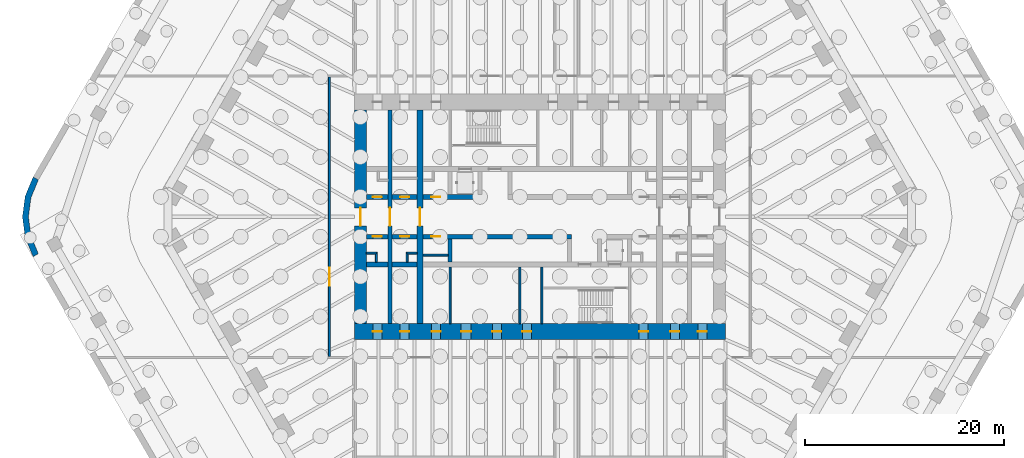
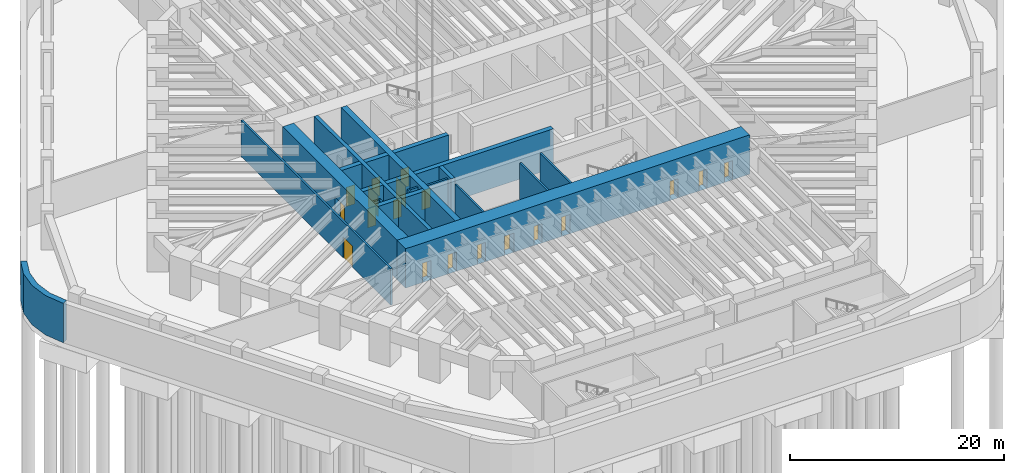
# One storey, part 8 of 17: 23 walls, 19 doors, 19 openings.
"""IFC4 building model written with IfcOpenShell, lengths in metres."""

from ifc_helpers import new_model, si_unit, direction, frame, frame_2d, origin, place, context, subcontext, project, spatial, polyline, rectangle, outline, extrude, material, layer, layer_set, type_object, element, fill, save


model = new_model("IFC4")

# Units and contexts
model_context = context("Model", 3, precision=1e-05, world=origin(), true_north=direction((0.0, 1.0)))
body_context = subcontext(model_context, "Body", "Model", "MODEL_VIEW")
ifc_project = project(units=[si_unit("LENGTHUNIT", "METRE"), si_unit("AREAUNIT", "SQUARE_METRE"), si_unit("VOLUMEUNIT", "CUBIC_METRE"), si_unit("PLANEANGLEUNIT", "RADIAN"), si_unit("MASSUNIT", "GRAM", prefix="KILO")], contexts=[model_context])

# Site, building, storey
site_placement = place(None, origin())
site = spatial("IfcSite", under=ifc_project, at=site_placement, CompositionType="ELEMENT")
building_placement = place(site_placement, origin())
building = spatial("IfcBuilding", under=site, at=building_placement, Name="Tarfa Lantern Tower", CompositionType="ELEMENT")
storey_placement = place(building_placement, frame((0.0, 0.0, -9.0)))
storey = spatial("IfcBuildingStorey", under=building, at=storey_placement, Name="B2", CompositionType="ELEMENT", Elevation=-9.0)

# Walls
ifc_material_1 = material(Name="Concrete blockwork", Category="masonry")
ifc_layer_1 = layer(ifc_material_1, 0.199951171875)
ifc_layer_set_1 = layer_set([ifc_layer_1], Name="IW1 BLOCKWORK PARTITION 200 EI 120")
wall_type_1 = type_object("IfcWallType", Name="IW1 BLOCKWORK PARTITION 200 EI 120", PredefinedType="PARTITIONING", material=ifc_layer_set_1)
for number, where, z_axis, x_axis, name in (
    (1, (-9.0, -5.050048828125, 0.0), (0.0, 0.0, 1.0), (0.0, -1.0, 0.0), "Core partition"),
    (2, (-2.0, -5.050048828125, 0.0), (0.0, 0.0, 1.0), (0.0, -1.0, 0.0), "Core partition"),
):
    element("IfcWall", number, at=place(storey_placement, frame(where, z_axis=z_axis, x_axis=x_axis)), inside=storey, type_object=wall_type_1, Name=name, PredefinedType="PARTITIONING", context=body_context, shape_type="SweptSolid", body=[
        extrude(rectangle(XDim=5.64990234375, YDim=0.199951171875, at=frame_2d((2.824951171875, 0.0))), origin(), (0.0, 0.0, 1.0), 4.14990234375),
    ])
wall_1_placement = place(storey_placement, frame((-9.199951171875, -3.85009765625, 0.0), z_axis=(0.0, 0.0, 1.0), x_axis=(-1.0, 0.0, 0.0)))
element("IfcWall", 3, at=wall_1_placement, inside=storey, type_object=wall_type_1, Name="Core partition", PredefinedType="PARTITIONING", context=body_context, shape_type="SweptSolid", body=[
    extrude(rectangle(XDim=2.5, YDim=0.199951171875, at=frame_2d((1.25, 0.0))), origin(), (0.0, 0.0, 1.0), 4.14990234375),
])
for number, where, z_axis, x_axis, name in (
    (4, (-12.300048828125, -3.64990234375, 0.0), (0.0, 0.0, 1.0), (-1.0, 0.0, 0.0), "Core partition"),
    (5, (-13.300048828125, -3.550048828125, 0.0), (0.0, 0.0, 1.0), (0.0, -1.0, 0.0), "Core partition"),
    (6, (-16.39990234375, -3.64990234375, 0.0), (0.0, 0.0, 1.0), (-1.0, 0.0, 0.0), "Core partition"),
    (7, (-16.39990234375, -3.550048828125, 0.0), (0.0, 0.0, 1.0), (0.0, -1.0, 0.0), "Core partition"),
):
    element("IfcWall", number, at=place(storey_placement, frame(where, z_axis=z_axis, x_axis=x_axis)), inside=storey, type_object=wall_type_1, Name=name, PredefinedType="PARTITIONING", context=body_context, shape_type="SweptSolid", body=[
        extrude(rectangle(XDim=1.0, YDim=0.199951171875, at=frame_2d((0.5, 0.0))), origin(), (0.0, 0.0, 1.0), 4.14990234375),
    ])

# Wall, opening, door
wall_2_placement = place(storey_placement, frame((-21.10009765625, -14.0, 0.0), z_axis=(0.0, 0.0, 1.0), x_axis=(0.0, 1.0, 0.0)))
wall_2 = element("IfcWall", 8, at=wall_2_placement, inside=storey, type_object=wall_type_1, Name="Fire-rated partition", PredefinedType="PARTITIONING", context=body_context, shape_type="SweptSolid", body=[
    extrude(rectangle(XDim=28.0, YDim=0.199951171875, at=frame_2d((14.0, 0.0))), origin(), (0.0, 0.0, 1.0), 4.14990234375),
])
opening_1_placement = place(wall_2_placement, frame((7.10009765625, 0.0, 0.0)))
opening_1 = element("IfcOpeningElement", 9, at=opening_1_placement, cuts=wall_2, Name="Opening D54", PredefinedType="OPENING", context=body_context, shape_type="SweptSolid", body=[
    extrude(rectangle(XDim=1.800048828125, YDim=2.39990234375, at=frame_2d((0.89990234375, 1.199951171875))), frame((0.0, 0.10986328125, 0.0), z_axis=(0.0, -1.0, 0.0), x_axis=(1.0, 0.0, 0.0)), (0.0, 0.0, 1.0), 0.219970703125),
])
ifc_material_2 = material(Name="Steel fire door", Category="steel")
door_type_1 = type_object("IfcDoorType", Name="DF7 FIRE DOOR 1800x2400", OperationType="DOUBLE_DOOR_SINGLE_SWING", PredefinedType="DOOR", material=ifc_material_2)
door_1_placement = place(opening_1_placement, origin())
door_1 = element("IfcDoor", 10, at=door_1_placement, inside=storey, type_object=door_type_1, Name="Plant room door", OperationType="DOUBLE_DOOR_SINGLE_SWING", OverallHeight=2.39990234375, OverallWidth=1.800048828125, PredefinedType="DOOR", context=body_context, shape_type="SweptSolid", body=[
    extrude(rectangle(XDim=1.800048828125, YDim=2.39990234375, at=frame_2d((0.89990234375, 1.199951171875))), frame((0.0, 0.02490234375, 0.0), z_axis=(0.0, -1.0, 0.0), x_axis=(1.0, 0.0, 0.0)), (0.0, 0.0, 1.0), 0.050048828125),
])
fill(opening_1, door_1)

# Wall
ifc_material_3 = material(Name="Concrete C50/60", Category="concrete")
ifc_layer_2 = layer(ifc_material_3, 0.60009765625)
ifc_layer_set_2 = layer_set([ifc_layer_2], Name="RW1 RETAINING WALL 600")
wall_type_2 = type_object("IfcWallType", Name="RW1 RETAINING WALL 600", PredefinedType="SOLIDWALL", material=ifc_layer_set_2)
wall_3_placement = place(storey_placement, origin())
element("IfcWall", 11, at=wall_3_placement, inside=storey, type_object=wall_type_2, Name="Retaining wall corner NW", PredefinedType="SOLIDWALL", context=body_context, shape_type="SweptSolid", body=[
    extrude(outline(polyline([(-50.806884765625, 4.0), (-51.60595703125, 2.070556640625), (-51.878662109375, 0.0), (-51.60595703125, -2.070556640625), (-50.806884765625, -4.0), (-50.287109375, -3.699951171875), (-51.0263671875, -1.915283203125), (-51.278564453125, 0.0), (-51.0263671875, 1.915283203125), (-50.287109375, 3.699951171875), (-50.806884765625, 4.0)])), origin(), (0.0, 0.0, 1.0), 4.5),
])

# Wall, opening, door
ifc_material_4 = material(Name="Concrete C80/95", Category="concrete")
ifc_layer_3 = layer(ifc_material_4, 1.199951171875)
ifc_layer_set_3 = layer_set([ifc_layer_3], Name="SW1 CORE WALL 1200")
wall_type_3 = type_object("IfcWallType", Name="SW1 CORE WALL 1200", PredefinedType="SHEAR", material=ifc_layer_set_3)
wall_4_placement = place(storey_placement, frame((-18.0, 10.699951171875, 0.0), z_axis=(0.0, 0.0, 1.0), x_axis=(0.0, -1.0, 0.0)))
wall_4 = element("IfcWall", 12, at=wall_4_placement, inside=storey, type_object=wall_type_3, Name="Core wall W", PredefinedType="SHEAR", context=body_context, shape_type="SweptSolid", body=[
    extrude(rectangle(XDim=21.39990234375, YDim=1.199951171875, at=frame_2d((10.699951171875, 0.0))), origin(), (0.0, 0.0, 1.0), 4.5),
])
opening_2_placement = place(wall_4_placement, frame((9.800048828125, 0.0, 0.0)))
opening_2 = element("IfcOpeningElement", 13, at=opening_2_placement, cuts=wall_4, Name="Opening D16", PredefinedType="OPENING", context=body_context, shape_type="SweptSolid", body=[
    extrude(rectangle(XDim=1.800048828125, YDim=2.39990234375, at=frame_2d((0.89990234375, 1.199951171875))), frame((0.0, 0.60986328125, 0.0), z_axis=(0.0, -1.0, 0.0), x_axis=(1.0, 0.0, 0.0)), (0.0, 0.0, 1.0), 1.219970703125),
])
door_type_2 = type_object("IfcDoorType", Name="DL1 LOBBY DOOR 1800x2400", OperationType="DOUBLE_DOOR_SINGLE_SWING", PredefinedType="DOOR", material=ifc_material_2)
door_2_placement = place(opening_2_placement, frame((1.800048828125, 0.0, 0.0), z_axis=(0.0, 0.0, 1.0), x_axis=(-1.0, 0.0, 0.0)))
door_2 = element("IfcDoor", 14, at=door_2_placement, inside=storey, type_object=door_type_2, Name="Lift lobby door", OperationType="DOUBLE_DOOR_SINGLE_SWING", OverallHeight=2.39990234375, OverallWidth=1.800048828125, PredefinedType="DOOR", context=body_context, shape_type="SweptSolid", body=[
    extrude(rectangle(XDim=1.800048828125, YDim=2.39990234375, at=frame_2d((0.89990234375, 1.199951171875))), frame((0.0, 0.02490234375, 0.0), z_axis=(0.0, -1.0, 0.0), x_axis=(1.0, 0.0, 0.0)), (0.0, 0.0, 1.0), 0.050048828125),
])
fill(opening_2, door_2)

# Wall
ifc_layer_4 = layer(ifc_material_4, 0.199951171875)
ifc_layer_set_4 = layer_set([ifc_layer_4], Name="SW12 CORE WALL 200")
wall_type_4 = type_object("IfcWallType", Name="SW12 CORE WALL 200", PredefinedType="SHEAR", material=ifc_layer_set_4)
wall_5_placement = place(storey_placement, frame((0.199951171875, -5.050048828125, 0.0), z_axis=(0.0, 0.0, 1.0), x_axis=(0.0, -1.0, 0.0)))
element("IfcWall", 15, at=wall_5_placement, inside=storey, type_object=wall_type_4, Name="Core wall stair shaft S", PredefinedType="SHEAR", context=body_context, shape_type="SweptSolid", body=[
    extrude(rectangle(XDim=5.64990234375, YDim=0.199951171875, at=frame_2d((2.824951171875, 0.0))), origin(), (0.0, 0.0, 1.0), 4.5),
])

# Wall, opening, door
ifc_layer_5 = layer(ifc_material_4, 0.5)
ifc_layer_set_5 = layer_set([ifc_layer_5], Name="SW5 CORE WALL 500")
wall_type_5 = type_object("IfcWallType", Name="SW5 CORE WALL 500", PredefinedType="SHEAR", material=ifc_layer_set_5)
wall_6_placement = place(storey_placement, frame((-17.39990234375, 2.0, 0.0), z_axis=(0.0, 0.0, 1.0), x_axis=(1.0, 0.0, 0.0)))
wall_6 = element("IfcWall", 16, at=wall_6_placement, inside=storey, type_object=wall_type_5, Name="Core wall lobby west N", PredefinedType="SHEAR", context=body_context, shape_type="SweptSolid", body=[
    extrude(rectangle(XDim=2.199951171875, YDim=0.5, at=frame_2d((1.10009765625, 0.0))), origin(), (0.0, 0.0, 1.0), 4.5),
])
opening_3_placement = place(wall_6_placement, frame((0.64990234375, 0.0, 0.0)))
opening_3 = element("IfcOpeningElement", 17, at=opening_3_placement, cuts=wall_6, Name="Opening D23", PredefinedType="OPENING", context=body_context, shape_type="SweptSolid", body=[
    extrude(rectangle(XDim=0.89990234375, YDim=2.199951171875, at=frame_2d((0.449951171875, 1.10009765625))), frame((0.0, 0.260009765625, 0.0), z_axis=(0.0, -1.0, 0.0), x_axis=(1.0, 0.0, 0.0)), (0.0, 0.0, 1.0), 0.52001953125),
])
door_type_3 = type_object("IfcDoorType", Name="DF6 SERVICE ROOM DOOR 900x2200", OperationType="SINGLE_SWING_LEFT", PredefinedType="DOOR", material=ifc_material_2)
door_3_placement = place(opening_3_placement, origin())
door_3 = element("IfcDoor", 18, at=door_3_placement, inside=storey, type_object=door_type_3, Name="Service room door", OperationType="SINGLE_SWING_LEFT", OverallHeight=2.199951171875, OverallWidth=0.89990234375, PredefinedType="DOOR", context=body_context, shape_type="SweptSolid", body=[
    extrude(rectangle(XDim=0.89990234375, YDim=2.199951171875, at=frame_2d((0.449951171875, 1.10009765625))), frame((0.0, 0.02490234375, 0.0), z_axis=(0.0, -1.0, 0.0), x_axis=(1.0, 0.0, 0.0)), (0.0, 0.0, 1.0), 0.050048828125),
])
fill(opening_3, door_3)

wall_7_placement = place(storey_placement, frame((-14.800048828125, 2.0, 0.0), z_axis=(0.0, 0.0, 1.0), x_axis=(1.0, 0.0, 0.0)))
wall_7 = element("IfcWall", 19, at=wall_7_placement, inside=storey, type_object=wall_type_5, Name="Core wall lobby west N", PredefinedType="SHEAR", context=body_context, shape_type="SweptSolid", body=[
    extrude(rectangle(XDim=2.5, YDim=0.5, at=frame_2d((1.25, 0.0))), origin(), (0.0, 0.0, 1.0), 4.5),
])
opening_4_placement = place(wall_7_placement, frame((0.800048828125, 0.0, 0.0)))
opening_4 = element("IfcOpeningElement", 20, at=opening_4_placement, cuts=wall_7, Name="Opening D25", PredefinedType="OPENING", context=body_context, shape_type="SweptSolid", body=[
    extrude(rectangle(XDim=0.89990234375, YDim=2.199951171875, at=frame_2d((0.449951171875, 1.10009765625))), frame((0.0, 0.260009765625, 0.0), z_axis=(0.0, -1.0, 0.0), x_axis=(1.0, 0.0, 0.0)), (0.0, 0.0, 1.0), 0.52001953125),
])
door_4_placement = place(opening_4_placement, origin())
door_4 = element("IfcDoor", 21, at=door_4_placement, inside=storey, type_object=door_type_3, Name="Service room door", OperationType="SINGLE_SWING_LEFT", OverallHeight=2.199951171875, OverallWidth=0.89990234375, PredefinedType="DOOR", context=body_context, shape_type="SweptSolid", body=[
    extrude(rectangle(XDim=0.89990234375, YDim=2.199951171875, at=frame_2d((0.449951171875, 1.10009765625))), frame((0.0, 0.02490234375, 0.0), z_axis=(0.0, -1.0, 0.0), x_axis=(1.0, 0.0, 0.0)), (0.0, 0.0, 1.0), 0.050048828125),
])
fill(opening_4, door_4)

wall_8_placement = place(storey_placement, frame((-11.699951171875, 2.0, 0.0), z_axis=(0.0, 0.0, 1.0), x_axis=(1.0, 0.0, 0.0)))
wall_8 = element("IfcWall", 22, at=wall_8_placement, inside=storey, type_object=wall_type_5, Name="Core wall lobby west N", PredefinedType="SHEAR", context=body_context, shape_type="SweptSolid", body=[
    extrude(rectangle(XDim=5.89990234375, YDim=0.5, at=frame_2d((2.949951171875, 0.0))), origin(), (0.0, 0.0, 1.0), 4.5),
])
opening_5_placement = place(wall_8_placement, frame((0.800048828125, 0.0, 0.0)))
opening_5 = element("IfcOpeningElement", 23, at=opening_5_placement, cuts=wall_8, Name="Opening D27", PredefinedType="OPENING", context=body_context, shape_type="SweptSolid", body=[
    extrude(rectangle(XDim=0.89990234375, YDim=2.199951171875, at=frame_2d((0.449951171875, 1.10009765625))), frame((0.0, 0.260009765625, 0.0), z_axis=(0.0, -1.0, 0.0), x_axis=(1.0, 0.0, 0.0)), (0.0, 0.0, 1.0), 0.52001953125),
])
door_5_placement = place(opening_5_placement, origin())
door_5 = element("IfcDoor", 24, at=door_5_placement, inside=storey, type_object=door_type_3, Name="Service room door", OperationType="SINGLE_SWING_RIGHT", OverallHeight=2.199951171875, OverallWidth=0.89990234375, PredefinedType="DOOR", context=body_context, shape_type="SweptSolid", body=[
    extrude(rectangle(XDim=0.89990234375, YDim=2.199951171875, at=frame_2d((0.449951171875, 1.10009765625))), frame((0.0, 0.02490234375, 0.0), z_axis=(0.0, -1.0, 0.0), x_axis=(1.0, 0.0, 0.0)), (0.0, 0.0, 1.0), 0.050048828125),
])
fill(opening_5, door_5)

wall_9_placement = place(storey_placement, frame((3.199951171875, -2.0, 0.0), z_axis=(0.0, 0.0, 1.0), x_axis=(-1.0, 0.0, 0.0)))
wall_9 = element("IfcWall", 25, at=wall_9_placement, inside=storey, type_object=wall_type_5, Name="Core wall lobby east S", PredefinedType="SHEAR", context=body_context, shape_type="SweptSolid", body=[
    extrude(rectangle(XDim=14.89990234375, YDim=0.5, at=frame_2d((7.449951171875, 0.0))), origin(), (0.0, 0.0, 1.0), 4.5),
])
opening_6_placement = place(wall_9_placement, frame((13.199951171875, 0.0, 0.0)))
opening_6 = element("IfcOpeningElement", 26, at=opening_6_placement, cuts=wall_9, Name="Opening D18", PredefinedType="OPENING", context=body_context, shape_type="SweptSolid", body=[
    extrude(rectangle(XDim=0.89990234375, YDim=2.199951171875, at=frame_2d((0.449951171875, 1.10009765625))), frame((0.0, 0.260009765625, 0.0), z_axis=(0.0, -1.0, 0.0), x_axis=(1.0, 0.0, 0.0)), (0.0, 0.0, 1.0), 0.52001953125),
])
door_6_placement = place(opening_6_placement, origin())
door_6 = element("IfcDoor", 27, at=door_6_placement, inside=storey, type_object=door_type_3, Name="Service room door", OperationType="SINGLE_SWING_LEFT", OverallHeight=2.199951171875, OverallWidth=0.89990234375, PredefinedType="DOOR", context=body_context, shape_type="SweptSolid", body=[
    extrude(rectangle(XDim=0.89990234375, YDim=2.199951171875, at=frame_2d((0.449951171875, 1.10009765625))), frame((0.0, 0.02490234375, 0.0), z_axis=(0.0, -1.0, 0.0), x_axis=(1.0, 0.0, 0.0)), (0.0, 0.0, 1.0), 0.050048828125),
])
fill(opening_6, door_6)

wall_10_placement = place(storey_placement, frame((-12.300048828125, -2.0, 0.0), z_axis=(0.0, 0.0, 1.0), x_axis=(-1.0, 0.0, 0.0)))
wall_10 = element("IfcWall", 28, at=wall_10_placement, inside=storey, type_object=wall_type_5, Name="Core wall lobby east S", PredefinedType="SHEAR", context=body_context, shape_type="SweptSolid", body=[
    extrude(rectangle(XDim=2.5, YDim=0.5, at=frame_2d((1.25, 0.0))), origin(), (0.0, 0.0, 1.0), 4.5),
])
opening_7_placement = place(wall_10_placement, frame((0.800048828125, 0.0, 0.0)))
opening_7 = element("IfcOpeningElement", 29, at=opening_7_placement, cuts=wall_10, Name="Opening D20", PredefinedType="OPENING", context=body_context, shape_type="SweptSolid", body=[
    extrude(rectangle(XDim=0.89990234375, YDim=2.199951171875, at=frame_2d((0.449951171875, 1.10009765625))), frame((0.0, 0.260009765625, 0.0), z_axis=(0.0, -1.0, 0.0), x_axis=(1.0, 0.0, 0.0)), (0.0, 0.0, 1.0), 0.52001953125),
])
door_7_placement = place(opening_7_placement, origin())
door_7 = element("IfcDoor", 30, at=door_7_placement, inside=storey, type_object=door_type_3, Name="Service room door", OperationType="SINGLE_SWING_LEFT", OverallHeight=2.199951171875, OverallWidth=0.89990234375, PredefinedType="DOOR", context=body_context, shape_type="SweptSolid", body=[
    extrude(rectangle(XDim=0.89990234375, YDim=2.199951171875, at=frame_2d((0.449951171875, 1.10009765625))), frame((0.0, 0.02490234375, 0.0), z_axis=(0.0, -1.0, 0.0), x_axis=(1.0, 0.0, 0.0)), (0.0, 0.0, 1.0), 0.050048828125),
])
fill(opening_7, door_7)

wall_11_placement = place(storey_placement, frame((-15.199951171875, -2.0, 0.0), z_axis=(0.0, 0.0, 1.0), x_axis=(-1.0, 0.0, 0.0)))
wall_11 = element("IfcWall", 31, at=wall_11_placement, inside=storey, type_object=wall_type_5, Name="Core wall lobby east S", PredefinedType="SHEAR", context=body_context, shape_type="SweptSolid", body=[
    extrude(rectangle(XDim=2.199951171875, YDim=0.5, at=frame_2d((1.10009765625, 0.0))), origin(), (0.0, 0.0, 1.0), 4.5),
])
opening_8_placement = place(wall_11_placement, frame((0.64990234375, 0.0, 0.0)))
opening_8 = element("IfcOpeningElement", 32, at=opening_8_placement, cuts=wall_11, Name="Opening D22", PredefinedType="OPENING", context=body_context, shape_type="SweptSolid", body=[
    extrude(rectangle(XDim=0.89990234375, YDim=2.199951171875, at=frame_2d((0.449951171875, 1.10009765625))), frame((0.0, 0.260009765625, 0.0), z_axis=(0.0, -1.0, 0.0), x_axis=(1.0, 0.0, 0.0)), (0.0, 0.0, 1.0), 0.52001953125),
])
door_8_placement = place(opening_8_placement, origin())
door_8 = element("IfcDoor", 33, at=door_8_placement, inside=storey, type_object=door_type_3, Name="Service room door", OperationType="SINGLE_SWING_LEFT", OverallHeight=2.199951171875, OverallWidth=0.89990234375, PredefinedType="DOOR", context=body_context, shape_type="SweptSolid", body=[
    extrude(rectangle(XDim=0.89990234375, YDim=2.199951171875, at=frame_2d((0.449951171875, 1.10009765625))), frame((0.0, 0.02490234375, 0.0), z_axis=(0.0, -1.0, 0.0), x_axis=(1.0, 0.0, 0.0)), (0.0, 0.0, 1.0), 0.050048828125),
])
fill(opening_8, door_8)

# Walls
wall_12_placement = place(storey_placement, frame((-12.300048828125, -4.800048828125, 0.0), z_axis=(0.0, 0.0, 1.0), x_axis=(-1.0, 0.0, 0.0)))
element("IfcWall", 34, at=wall_12_placement, inside=storey, type_object=wall_type_5, Name="Core wall rear S", PredefinedType="SHEAR", context=body_context, shape_type="SweptSolid", body=[
    extrude(rectangle(XDim=2.5, YDim=0.5, at=frame_2d((1.25, 0.0))), origin(), (0.0, 0.0, 1.0), 4.5),
])
wall_13_placement = place(storey_placement, frame((-15.199951171875, -4.800048828125, 0.0), z_axis=(0.0, 0.0, 1.0), x_axis=(-1.0, 0.0, 0.0)))
element("IfcWall", 35, at=wall_13_placement, inside=storey, type_object=wall_type_5, Name="Core wall rear S", PredefinedType="SHEAR", context=body_context, shape_type="SweptSolid", body=[
    extrude(rectangle(XDim=2.199951171875, YDim=0.5, at=frame_2d((1.10009765625, 0.0))), origin(), (0.0, 0.0, 1.0), 4.5),
])

# Wall, opening, door
ifc_layer_6 = layer(ifc_material_4, 0.39990234375)
ifc_layer_set_6 = layer_set([ifc_layer_6], Name="SW6 CORE WALL 400")
wall_type_6 = type_object("IfcWallType", Name="SW6 CORE WALL 400", PredefinedType="SHEAR", material=ifc_layer_set_6)
wall_14_placement = place(storey_placement, frame((-15.0, -10.699951171875, 0.0), z_axis=(0.0, 0.0, 1.0), x_axis=(0.0, 1.0, 0.0)))
wall_14 = element("IfcWall", 36, at=wall_14_placement, inside=storey, type_object=wall_type_6, Name="Core wall cross 15 m west", PredefinedType="SHEAR", context=body_context, shape_type="SweptSolid", body=[
    extrude(rectangle(XDim=21.39990234375, YDim=0.39990234375, at=frame_2d((10.699951171875, 0.0))), origin(), (0.0, 0.0, 1.0), 4.5),
])
opening_9_placement = place(wall_14_placement, frame((9.800048828125, 0.0, 0.0)))
opening_9 = element("IfcOpeningElement", 37, at=opening_9_placement, cuts=wall_14, Name="Opening D40", PredefinedType="OPENING", context=body_context, shape_type="SweptSolid", body=[
    extrude(rectangle(XDim=1.800048828125, YDim=2.39990234375, at=frame_2d((0.89990234375, 1.199951171875))), frame((0.0, 0.2099609375, 0.0), z_axis=(0.0, -1.0, 0.0), x_axis=(1.0, 0.0, 0.0)), (0.0, 0.0, 1.0), 0.419921875),
])
door_9_placement = place(opening_9_placement, origin())
door_9 = element("IfcDoor", 38, at=door_9_placement, inside=storey, type_object=door_type_2, Name="Lift lobby door", OperationType="DOUBLE_DOOR_SINGLE_SWING", OverallHeight=2.39990234375, OverallWidth=1.800048828125, PredefinedType="DOOR", context=body_context, shape_type="SweptSolid", body=[
    extrude(rectangle(XDim=1.800048828125, YDim=2.39990234375, at=frame_2d((0.89990234375, 1.199951171875))), frame((0.0, 0.02490234375, 0.0), z_axis=(0.0, -1.0, 0.0), x_axis=(1.0, 0.0, 0.0)), (0.0, 0.0, 1.0), 0.050048828125),
])
fill(opening_9, door_9)

# Wall
wall_15_placement = place(storey_placement, frame((-9.0, -2.25, 0.0), z_axis=(0.0, 0.0, 1.0), x_axis=(0.0, -1.0, 0.0)))
element("IfcWall", 39, at=wall_15_placement, inside=storey, type_object=wall_type_6, Name="Core wall divider S", PredefinedType="SHEAR", context=body_context, shape_type="SweptSolid", body=[
    extrude(rectangle(XDim=2.300048828125, YDim=0.39990234375, at=frame_2d((1.14990234375, 0.0))), origin(), (0.0, 0.0, 1.0), 4.5),
])

# Wall, openings, doors
ifc_layer_7 = layer(ifc_material_4, 1.60009765625)
ifc_layer_set_7 = layer_set([ifc_layer_7], Name="SW7 CORE WALL 1600")
wall_type_7 = type_object("IfcWallType", Name="SW7 CORE WALL 1600", PredefinedType="SHEAR", material=ifc_layer_set_7)
wall_16_placement = place(storey_placement, frame((18.60009765625, -11.5, 0.0), z_axis=(0.0, 0.0, 1.0), x_axis=(-1.0, 0.0, 0.0)))
wall_16 = element("IfcWall", 40, at=wall_16_placement, inside=storey, type_object=wall_type_7, Name="Core wall S", PredefinedType="SHEAR", context=body_context, shape_type="SweptSolid", body=[
    extrude(rectangle(XDim=37.2001953125, YDim=1.60009765625, at=frame_2d((18.60009765625, 0.0))), origin(), (0.0, 0.0, 1.0), 4.5),
])
opening_10_placement = place(wall_16_placement, frame((19.449951171875, 0.0, 0.0)))
opening_10 = element("IfcOpeningElement", 41, at=opening_10_placement, cuts=wall_16, Name="Opening D30", PredefinedType="OPENING", context=body_context, shape_type="SweptSolid", body=[
    extrude(rectangle(XDim=0.89990234375, YDim=2.199951171875, at=frame_2d((0.449951171875, 1.10009765625))), frame((0.0, 0.81005859375, 0.0), z_axis=(0.0, -1.0, 0.0), x_axis=(1.0, 0.0, 0.0)), (0.0, 0.0, 1.0), 1.6201171875),
])
opening_11_placement = place(wall_16_placement, frame((22.449951171875, 0.0, 0.0)))
opening_11 = element("IfcOpeningElement", 42, at=opening_11_placement, cuts=wall_16, Name="Opening D32", PredefinedType="OPENING", context=body_context, shape_type="SweptSolid", body=[
    extrude(rectangle(XDim=0.89990234375, YDim=2.199951171875, at=frame_2d((0.449951171875, 1.10009765625))), frame((0.0, 0.81005859375, 0.0), z_axis=(0.0, -1.0, 0.0), x_axis=(1.0, 0.0, 0.0)), (0.0, 0.0, 1.0), 1.6201171875),
])
opening_12_placement = place(wall_16_placement, frame((25.5, 0.0, 0.0)))
opening_12 = element("IfcOpeningElement", 43, at=opening_12_placement, cuts=wall_16, Name="Opening D34", PredefinedType="OPENING", context=body_context, shape_type="SweptSolid", body=[
    extrude(rectangle(XDim=1.0, YDim=2.199951171875, at=frame_2d((0.5, 1.10009765625))), frame((0.0, 0.81005859375, 0.0), z_axis=(0.0, -1.0, 0.0), x_axis=(1.0, 0.0, 0.0)), (0.0, 0.0, 1.0), 1.6201171875),
])
opening_13_placement = place(wall_16_placement, frame((1.85009765625, 0.0, 0.0)))
opening_13 = element("IfcOpeningElement", 44, at=opening_13_placement, cuts=wall_16, Name="Opening D12", PredefinedType="OPENING", context=body_context, shape_type="SweptSolid", body=[
    extrude(rectangle(XDim=0.89990234375, YDim=2.199951171875, at=frame_2d((0.449951171875, 1.10009765625))), frame((0.0, 0.81005859375, 0.0), z_axis=(0.0, -1.0, 0.0), x_axis=(1.0, 0.0, 0.0)), (0.0, 0.0, 1.0), 1.6201171875),
])
opening_14_placement = place(wall_16_placement, frame((4.60009765625, 0.0, 0.0)))
opening_14 = element("IfcOpeningElement", 45, at=opening_14_placement, cuts=wall_16, Name="Opening D08", PredefinedType="OPENING", context=body_context, shape_type="SweptSolid", body=[
    extrude(rectangle(XDim=0.89990234375, YDim=2.199951171875, at=frame_2d((0.449951171875, 1.10009765625))), frame((0.0, 0.81005859375, 0.0), z_axis=(0.0, -1.0, 0.0), x_axis=(1.0, 0.0, 0.0)), (0.0, 0.0, 1.0), 1.6201171875),
])
opening_15_placement = place(wall_16_placement, frame((7.75, 0.0, 0.0)))
opening_15 = element("IfcOpeningElement", 46, at=opening_15_placement, cuts=wall_16, Name="Opening D10", PredefinedType="OPENING", context=body_context, shape_type="SweptSolid", body=[
    extrude(rectangle(XDim=0.89990234375, YDim=2.199951171875, at=frame_2d((0.449951171875, 1.10009765625))), frame((0.0, 0.81005859375, 0.0), z_axis=(0.0, -1.0, 0.0), x_axis=(1.0, 0.0, 0.0)), (0.0, 0.0, 1.0), 1.6201171875),
])
opening_16_placement = place(wall_16_placement, frame((28.550048828125, 0.0, 0.0)))
opening_16 = element("IfcOpeningElement", 47, at=opening_16_placement, cuts=wall_16, Name="Opening D06", PredefinedType="OPENING", context=body_context, shape_type="SweptSolid", body=[
    extrude(rectangle(XDim=0.89990234375, YDim=2.199951171875, at=frame_2d((0.449951171875, 1.10009765625))), frame((0.0, 0.81005859375, 0.0), z_axis=(0.0, -1.0, 0.0), x_axis=(1.0, 0.0, 0.0)), (0.0, 0.0, 1.0), 1.6201171875),
])
opening_17_placement = place(wall_16_placement, frame((31.699951171875, 0.0, 0.0)))
opening_17 = element("IfcOpeningElement", 48, at=opening_17_placement, cuts=wall_16, Name="Opening D02", PredefinedType="OPENING", context=body_context, shape_type="SweptSolid", body=[
    extrude(rectangle(XDim=0.89990234375, YDim=2.199951171875, at=frame_2d((0.449951171875, 1.10009765625))), frame((0.0, 0.81005859375, 0.0), z_axis=(0.0, -1.0, 0.0), x_axis=(1.0, 0.0, 0.0)), (0.0, 0.0, 1.0), 1.6201171875),
])
opening_18_placement = place(wall_16_placement, frame((34.449951171875, 0.0, 0.0)))
opening_18 = element("IfcOpeningElement", 49, at=opening_18_placement, cuts=wall_16, Name="Opening D04", PredefinedType="OPENING", context=body_context, shape_type="SweptSolid", body=[
    extrude(rectangle(XDim=0.89990234375, YDim=2.199951171875, at=frame_2d((0.449951171875, 1.10009765625))), frame((0.0, 0.81005859375, 0.0), z_axis=(0.0, -1.0, 0.0), x_axis=(1.0, 0.0, 0.0)), (0.0, 0.0, 1.0), 1.6201171875),
])
door_type_4 = type_object("IfcDoorType", Name="DF3 CORE ROOM DOOR 900x2200", OperationType="SINGLE_SWING_LEFT", PredefinedType="DOOR", material=ifc_material_2)
door_10_placement = place(opening_10_placement, frame((0.89990234375, 0.0, 0.0), z_axis=(0.0, 0.0, 1.0), x_axis=(-1.0, 0.0, 0.0)))
door_10 = element("IfcDoor", 50, at=door_10_placement, inside=storey, type_object=door_type_4, Name="Core door", OperationType="SINGLE_SWING_RIGHT", OverallHeight=2.199951171875, OverallWidth=0.89990234375, PredefinedType="DOOR", context=body_context, shape_type="SweptSolid", body=[
    extrude(rectangle(XDim=0.89990234375, YDim=2.199951171875, at=frame_2d((0.449951171875, 1.10009765625))), frame((0.0, 0.02490234375, 0.0), z_axis=(0.0, -1.0, 0.0), x_axis=(1.0, 0.0, 0.0)), (0.0, 0.0, 1.0), 0.050048828125),
])
fill(opening_10, door_10)
door_11_placement = place(opening_11_placement, frame((0.89990234375, 0.0, 0.0), z_axis=(0.0, 0.0, 1.0), x_axis=(-1.0, 0.0, 0.0)))
door_11 = element("IfcDoor", 51, at=door_11_placement, inside=storey, type_object=door_type_4, Name="Core door", OperationType="SINGLE_SWING_LEFT", OverallHeight=2.199951171875, OverallWidth=0.89990234375, PredefinedType="DOOR", context=body_context, shape_type="SweptSolid", body=[
    extrude(rectangle(XDim=0.89990234375, YDim=2.199951171875, at=frame_2d((0.449951171875, 1.10009765625))), frame((0.0, 0.02490234375, 0.0), z_axis=(0.0, -1.0, 0.0), x_axis=(1.0, 0.0, 0.0)), (0.0, 0.0, 1.0), 0.050048828125),
])
fill(opening_11, door_11)
door_type_5 = type_object("IfcDoorType", Name="DF4 CORE ROOM DOOR 1000x2200", OperationType="SINGLE_SWING_LEFT", PredefinedType="DOOR", material=ifc_material_2)
door_12_placement = place(opening_12_placement, frame((1.0, 0.0, 0.0), z_axis=(0.0, 0.0, 1.0), x_axis=(-1.0, 0.0, 0.0)))
door_12 = element("IfcDoor", 52, at=door_12_placement, inside=storey, type_object=door_type_5, Name="Core door", OperationType="SINGLE_SWING_RIGHT", OverallHeight=2.199951171875, OverallWidth=1.0, PredefinedType="DOOR", context=body_context, shape_type="SweptSolid", body=[
    extrude(rectangle(XDim=1.0, YDim=2.199951171875, at=frame_2d((0.5, 1.10009765625))), frame((0.0, 0.02490234375, 0.0), z_axis=(0.0, -1.0, 0.0), x_axis=(1.0, 0.0, 0.0)), (0.0, 0.0, 1.0), 0.050048828125),
])
fill(opening_12, door_12)
door_type_6 = type_object("IfcDoorType", Name="DF5 RISER DOOR 900x2200", OperationType="SINGLE_SWING_LEFT", PredefinedType="DOOR", material=ifc_material_2)
door_13_placement = place(opening_13_placement, frame((0.89990234375, 0.0, 0.0), z_axis=(0.0, 0.0, 1.0), x_axis=(-1.0, 0.0, 0.0)))
door_13 = element("IfcDoor", 53, at=door_13_placement, inside=storey, type_object=door_type_6, Name="Riser door", OperationType="SINGLE_SWING_LEFT", OverallHeight=2.199951171875, OverallWidth=0.89990234375, PredefinedType="DOOR", context=body_context, shape_type="SweptSolid", body=[
    extrude(rectangle(XDim=0.89990234375, YDim=2.199951171875, at=frame_2d((0.449951171875, 1.10009765625))), frame((0.0, 0.02490234375, 0.0), z_axis=(0.0, -1.0, 0.0), x_axis=(1.0, 0.0, 0.0)), (0.0, 0.0, 1.0), 0.050048828125),
])
fill(opening_13, door_13)
door_14_placement = place(opening_14_placement, frame((0.89990234375, 0.0, 0.0), z_axis=(0.0, 0.0, 1.0), x_axis=(-1.0, 0.0, 0.0)))
door_14 = element("IfcDoor", 54, at=door_14_placement, inside=storey, type_object=door_type_6, Name="Riser door", OperationType="SINGLE_SWING_LEFT", OverallHeight=2.199951171875, OverallWidth=0.89990234375, PredefinedType="DOOR", context=body_context, shape_type="SweptSolid", body=[
    extrude(rectangle(XDim=0.89990234375, YDim=2.199951171875, at=frame_2d((0.449951171875, 1.10009765625))), frame((0.0, 0.02490234375, 0.0), z_axis=(0.0, -1.0, 0.0), x_axis=(1.0, 0.0, 0.0)), (0.0, 0.0, 1.0), 0.050048828125),
])
fill(opening_14, door_14)
door_15_placement = place(opening_15_placement, frame((0.89990234375, 0.0, 0.0), z_axis=(0.0, 0.0, 1.0), x_axis=(-1.0, 0.0, 0.0)))
door_15 = element("IfcDoor", 55, at=door_15_placement, inside=storey, type_object=door_type_6, Name="Riser door", OperationType="SINGLE_SWING_LEFT", OverallHeight=2.199951171875, OverallWidth=0.89990234375, PredefinedType="DOOR", context=body_context, shape_type="SweptSolid", body=[
    extrude(rectangle(XDim=0.89990234375, YDim=2.199951171875, at=frame_2d((0.449951171875, 1.10009765625))), frame((0.0, 0.02490234375, 0.0), z_axis=(0.0, -1.0, 0.0), x_axis=(1.0, 0.0, 0.0)), (0.0, 0.0, 1.0), 0.050048828125),
])
fill(opening_15, door_15)
door_16_placement = place(opening_16_placement, frame((0.89990234375, 0.0, 0.0), z_axis=(0.0, 0.0, 1.0), x_axis=(-1.0, 0.0, 0.0)))
door_16 = element("IfcDoor", 56, at=door_16_placement, inside=storey, type_object=door_type_6, Name="Riser door", OperationType="SINGLE_SWING_RIGHT", OverallHeight=2.199951171875, OverallWidth=0.89990234375, PredefinedType="DOOR", context=body_context, shape_type="SweptSolid", body=[
    extrude(rectangle(XDim=0.89990234375, YDim=2.199951171875, at=frame_2d((0.449951171875, 1.10009765625))), frame((0.0, 0.02490234375, 0.0), z_axis=(0.0, -1.0, 0.0), x_axis=(1.0, 0.0, 0.0)), (0.0, 0.0, 1.0), 0.050048828125),
])
fill(opening_16, door_16)
door_17_placement = place(opening_17_placement, frame((0.89990234375, 0.0, 0.0), z_axis=(0.0, 0.0, 1.0), x_axis=(-1.0, 0.0, 0.0)))
door_17 = element("IfcDoor", 57, at=door_17_placement, inside=storey, type_object=door_type_6, Name="Riser door", OperationType="SINGLE_SWING_RIGHT", OverallHeight=2.199951171875, OverallWidth=0.89990234375, PredefinedType="DOOR", context=body_context, shape_type="SweptSolid", body=[
    extrude(rectangle(XDim=0.89990234375, YDim=2.199951171875, at=frame_2d((0.449951171875, 1.10009765625))), frame((0.0, 0.02490234375, 0.0), z_axis=(0.0, -1.0, 0.0), x_axis=(1.0, 0.0, 0.0)), (0.0, 0.0, 1.0), 0.050048828125),
])
fill(opening_17, door_17)
door_18_placement = place(opening_18_placement, frame((0.89990234375, 0.0, 0.0), z_axis=(0.0, 0.0, 1.0), x_axis=(-1.0, 0.0, 0.0)))
door_18 = element("IfcDoor", 58, at=door_18_placement, inside=storey, type_object=door_type_6, Name="Riser door", OperationType="SINGLE_SWING_RIGHT", OverallHeight=2.199951171875, OverallWidth=0.89990234375, PredefinedType="DOOR", context=body_context, shape_type="SweptSolid", body=[
    extrude(rectangle(XDim=0.89990234375, YDim=2.199951171875, at=frame_2d((0.449951171875, 1.10009765625))), frame((0.0, 0.02490234375, 0.0), z_axis=(0.0, -1.0, 0.0), x_axis=(1.0, 0.0, 0.0)), (0.0, 0.0, 1.0), 0.050048828125),
])
fill(opening_18, door_18)

# Wall, opening, door
ifc_layer_8 = layer(ifc_material_4, 0.60009765625)
ifc_layer_set_8 = layer_set([ifc_layer_8], Name="SW9 CORE WALL 600")
wall_type_8 = type_object("IfcWallType", Name="SW9 CORE WALL 600", PredefinedType="SHEAR", material=ifc_layer_set_8)
wall_17_placement = place(storey_placement, frame((-12.0, -10.699951171875, 0.0), z_axis=(0.0, 0.0, 1.0), x_axis=(0.0, 1.0, 0.0)))
wall_17 = element("IfcWall", 59, at=wall_17_placement, inside=storey, type_object=wall_type_8, Name="Core wall cross 12 m west", PredefinedType="SHEAR", context=body_context, shape_type="SweptSolid", body=[
    extrude(rectangle(XDim=21.39990234375, YDim=0.60009765625, at=frame_2d((10.699951171875, 0.0))), origin(), (0.0, 0.0, 1.0), 4.5),
])
opening_19_placement = place(wall_17_placement, frame((9.800048828125, 0.0, 0.0)))
opening_19 = element("IfcOpeningElement", 60, at=opening_19_placement, cuts=wall_17, Name="Opening D39", PredefinedType="OPENING", context=body_context, shape_type="SweptSolid", body=[
    extrude(rectangle(XDim=1.800048828125, YDim=2.39990234375, at=frame_2d((0.89990234375, 1.199951171875))), frame((0.0, 0.31005859375, 0.0), z_axis=(0.0, -1.0, 0.0), x_axis=(1.0, 0.0, 0.0)), (0.0, 0.0, 1.0), 0.6201171875),
])
door_19_placement = place(opening_19_placement, origin())
door_19 = element("IfcDoor", 61, at=door_19_placement, inside=storey, type_object=door_type_2, Name="Lift lobby door", OperationType="DOUBLE_DOOR_SINGLE_SWING", OverallHeight=2.39990234375, OverallWidth=1.800048828125, PredefinedType="DOOR", context=body_context, shape_type="SweptSolid", body=[
    extrude(rectangle(XDim=1.800048828125, YDim=2.39990234375, at=frame_2d((0.89990234375, 1.199951171875))), frame((0.0, 0.02490234375, 0.0), z_axis=(0.0, -1.0, 0.0), x_axis=(1.0, 0.0, 0.0)), (0.0, 0.0, 1.0), 0.050048828125),
])
fill(opening_19, door_19)

save(model, "model.ifc")
